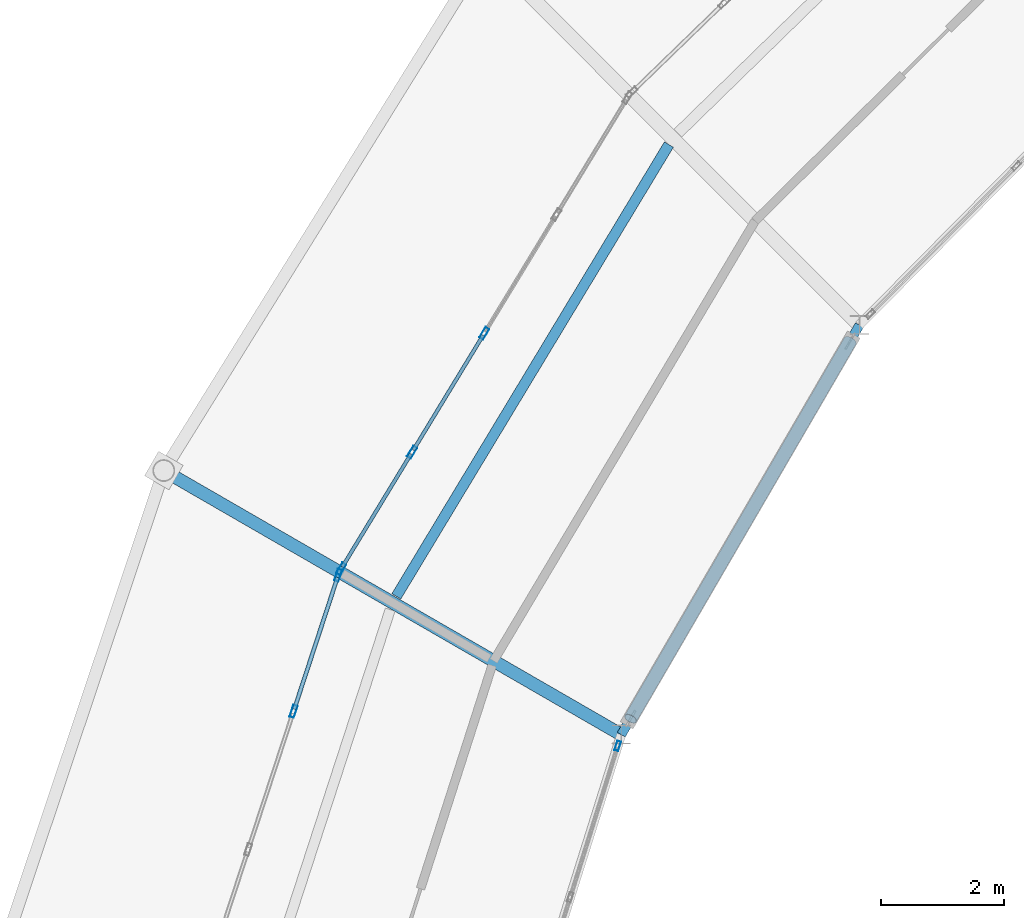
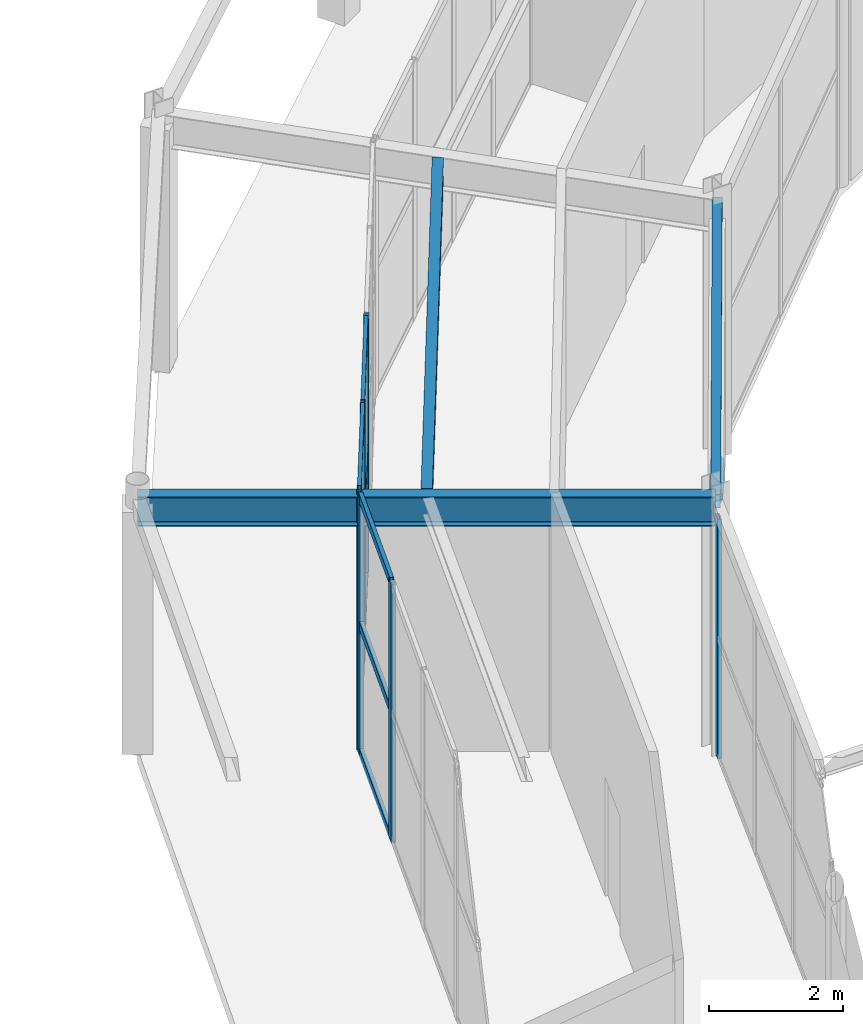
# One storey, part 76 of 144: 16 members, 3 beams, 3 elements without a shape of their own.
"""IFC4 building model written with IfcOpenShell, lengths in metres."""

from ifc_helpers import new_model, si_unit, direction, frame, origin, origin_2d, place, context, subcontext, project, spatial, hollow_rectangle, hollow_circle, i_section, extrude, material, material_profile, profile_set, type_object, element, aggregate, save


model = new_model("IFC4")

# Units and contexts
model_context = context("Model", 3, precision=1e-05, world=origin(), true_north=direction((0.0, 1.0)))
body_context = subcontext(model_context, "Body", "Model", "MODEL_VIEW")
ifc_project = project(units=[si_unit("LENGTHUNIT", "METRE"), si_unit("AREAUNIT", "SQUARE_METRE"), si_unit("VOLUMEUNIT", "CUBIC_METRE"), si_unit("PLANEANGLEUNIT", "RADIAN"), si_unit("MASSUNIT", "GRAM", prefix="KILO")], contexts=[model_context])

# Site, building, storey
site_placement = place(None, origin())
site = spatial("IfcSite", under=ifc_project, at=site_placement, CompositionType="ELEMENT")
building_placement = place(site_placement, origin())
building = spatial("IfcBuilding", under=site, at=building_placement, Name="Karori Crest Natural Sciences Institute", CompositionType="ELEMENT")
storey_placement = place(building_placement, origin())
storey = spatial("IfcBuildingStorey", under=building, at=storey_placement, Name="L00", CompositionType="ELEMENT", Elevation=0.0)

# Beams
ifc_material_1 = material(Name="Structural steel AS/NZS 3679.1 Grade 350", Category="steel")
ifc_material_profile_1 = material_profile(ifc_material_1, i_section(OverallWidth=0.208984375, OverallDepth=0.532958984375, WebThickness=0.01025390625, FlangeThickness=0.015625, FilletRadius=0.013916015625, at=origin_2d()), Name="530UB92.4")
ifc_profile_set_1 = profile_set([ifc_material_profile_1], Name="Structural steel AS/NZS 3679.1 Grade 350")
beam_type_1 = type_object("IfcBeamType", Name="BT-05", PredefinedType="BEAM", material=ifc_profile_set_1)
beam_1_placement = place(storey_placement, frame((45.26904296875, 66.0, 4.37353515625), z_axis=(-0.866021068297, 0.500007509209, 0.0), x_axis=(-0.500007509209, -0.866021068297, 0.0)))
element("IfcBeam", 1, at=beam_1_placement, inside=storey, type_object=beam_type_1, Name="Beam B-0131", PredefinedType="BEAM", context=body_context, shape_type="SweptSolid", body=[
    extrude(i_section(OverallWidth=0.208984375, OverallDepth=0.532958984375, WebThickness=0.01025390625, FlangeThickness=0.015625, FilletRadius=0.013916015625, at=origin_2d()), origin(), (0.0, 0.0, 1.0), 8.599853515625),
])
ifc_material_2 = material(Name="Hollow structural steel AS/NZS 1163 Grade C350", Category="steel")
ifc_material_profile_2 = material_profile(ifc_material_2, hollow_rectangle(XDim=0.14990234375, YDim=0.25, WallThickness=0.009033203125, at=origin_2d()), Name="RHS250x150x9")
ifc_profile_set_2 = profile_set([ifc_material_profile_2], Name="Hollow structural steel AS/NZS 1163 Grade C350")
beam_type_2 = type_object("IfcBeamType", Name="BT-16", PredefinedType="SPANDREL", material=ifc_profile_set_2)
beam_2_placement = place(storey_placement, frame((49.146484375, 72.668701171875, 4.489990234375), z_axis=(-0.502648511326, -0.864490875638, 0.0), x_axis=(0.864490875638, -0.502648511326, 0.0)))
element("IfcBeam", 2, at=beam_2_placement, inside=storey, type_object=beam_type_2, Name="Beam B-0126", PredefinedType="SPANDREL", context=body_context, shape_type="SweptSolid", body=[
    extrude(hollow_rectangle(XDim=0.14990234375, YDim=0.25, WallThickness=0.009033203125, at=origin_2d()), origin(), (0.0, 0.0, 1.0), 7.714111328125),
])
ifc_material_profile_3 = material_profile(ifc_material_1, i_section(OverallWidth=0.1708984375, OverallDepth=0.35595703125, WebThickness=0.00732421875, FlangeThickness=0.011474609375, FilletRadius=0.010986328125, at=origin_2d()), Name="360UB50.7")
ifc_profile_set_3 = profile_set([ifc_material_profile_3], Name="Structural steel AS/NZS 3679.1 Grade 350")
beam_type_3 = type_object("IfcBeamType", Name="BT-30", PredefinedType="BEAM", material=ifc_profile_set_3)
beam_3_placement = place(storey_placement, frame((46.044189453125, 75.606689453125, 4.4619140625), z_axis=(-0.516601017309, -0.856226248672, 0.0), x_axis=(0.856226248672, -0.516601017309, 0.0)))
element("IfcBeam", 3, at=beam_3_placement, inside=storey, type_object=beam_type_3, Name="Beam B-0128", PredefinedType="BEAM", context=body_context, shape_type="SweptSolid", body=[
    extrude(i_section(OverallWidth=0.1708984375, OverallDepth=0.35595703125, WebThickness=0.00732421875, FlangeThickness=0.011474609375, FilletRadius=0.010986328125, at=origin_2d()), origin(), (0.0, 0.0, 1.0), 8.5888671875),
])

# Curtain wall, member
ifc_material_3 = material(Name="Anodised architectural aluminium 6063-T6", Category="aluminium")
curtain_wall_type_1 = type_object("IfcCurtainWallType", Name="CWT-11", PredefinedType="NOTDEFINED", material=ifc_material_3)
curtain_wall_1_placement = place(storey_placement, origin())
curtain_wall_1 = element("IfcCurtainWall", 4, at=curtain_wall_1_placement, inside=storey, type_object=curtain_wall_type_1, Name="Curtain wall CW-0014", PredefinedType="NOTDEFINED")
ifc_material_profile_4 = material_profile(ifc_material_3, hollow_rectangle(XDim=0.06494140625, YDim=0.159912109375, WallThickness=0.00390625, at=origin_2d()), Name="CWM160x65x4")
ifc_profile_set_4 = profile_set([ifc_material_profile_4], Name="Anodised architectural aluminium 6063-T6")
member_type_1 = type_object("IfcMemberType", Name="CWM-01", PredefinedType="MULLION", material=ifc_profile_set_4)
member_1_placement = place(storey_placement, frame((45.211669921875, 65.81689453125, 0.0), z_axis=(0.0, 0.0, 1.0), x_axis=(0.954103649609, -0.2994765864, 0.0)))
member_1 = element("IfcMember", 5, at=member_1_placement, type_object=member_type_1, Name="CW-0014 mullion 1", PredefinedType="MULLION", context=body_context, shape_type="SweptSolid", body=[
    extrude(hollow_rectangle(XDim=0.06494140625, YDim=0.159912109375, WallThickness=0.00390625, at=origin_2d()), origin(), (0.0, 0.0, 1.0), 4.35009765625),
])
aggregate(curtain_wall_1, [member_1])

# Curtain wall, members
curtain_wall_type_2 = type_object("IfcCurtainWallType", Name="CWT-10", PredefinedType="NOTDEFINED", material=ifc_material_3)
curtain_wall_2_placement = place(storey_placement, origin())
curtain_wall_2 = element("IfcCurtainWall", 6, at=curtain_wall_2_placement, inside=storey, type_object=curtain_wall_type_2, Name="Curtain wall CW-0012", PredefinedType="NOTDEFINED")
ifc_material_profile_5 = material_profile(ifc_material_3, hollow_rectangle(XDim=0.074951171875, YDim=0.199951171875, WallThickness=0.0048828125, at=origin_2d()), Name="CWM200x75x5")
ifc_profile_set_5 = profile_set([ifc_material_profile_5], Name="Anodised architectural aluminium 6063-T6")
member_type_2 = type_object("IfcMemberType", Name="CWM-02", PredefinedType="MULLION", material=ifc_profile_set_5)
member_2_placement = place(storey_placement, frame((40.708984375, 68.69921875, 0.0), z_axis=(0.0, 0.0, 1.0), x_axis=(-0.854567337323, 0.519340606905, 0.0)))
member_2 = element("IfcMember", 7, at=member_2_placement, type_object=member_type_2, Name="CW-0012 mullion 1", PredefinedType="MULLION", context=body_context, shape_type="SweptSolid", body=[
    extrude(hollow_rectangle(XDim=0.074951171875, YDim=0.199951171875, WallThickness=0.0048828125, at=origin_2d()), origin(), (0.0, 0.0, 1.0), 4.679931640625),
])
member_3_placement = place(storey_placement, frame((41.8642578125, 70.60009765625, 0.0), z_axis=(0.0, 0.0, 1.0), x_axis=(-0.854567337323, 0.519340606905, 0.0)))
member_3 = element("IfcMember", 8, at=member_3_placement, type_object=member_type_2, Name="CW-0012 mullion 2", PredefinedType="MULLION", context=body_context, shape_type="SweptSolid", body=[
    extrude(hollow_rectangle(XDim=0.074951171875, YDim=0.199951171875, WallThickness=0.0048828125, at=origin_2d()), origin(), (0.0, 0.0, 1.0), 4.679931640625),
])
member_4_placement = place(storey_placement, frame((43.0390625, 72.533203125, 0.0), z_axis=(0.0, 0.0, 1.0), x_axis=(-0.854567337323, 0.519340606905, 0.0)))
member_4 = element("IfcMember", 9, at=member_4_placement, type_object=member_type_2, Name="CW-0012 mullion 3", PredefinedType="MULLION", context=body_context, shape_type="SweptSolid", body=[
    extrude(hollow_rectangle(XDim=0.074951171875, YDim=0.199951171875, WallThickness=0.0048828125, at=origin_2d()), origin(), (0.0, 0.0, 1.0), 4.679931640625),
])

curtain_wall_type_3 = type_object("IfcCurtainWallType", Name="CWT-01", PredefinedType="NOTDEFINED", material=ifc_material_3)
curtain_wall_3_placement = place(storey_placement, origin())
curtain_wall_3 = element("IfcCurtainWall", 10, at=curtain_wall_3_placement, inside=storey, type_object=curtain_wall_type_3, Name="Curtain wall CW-0013", PredefinedType="NOTDEFINED")
member_5_placement = place(storey_placement, frame((39.93408203125, 66.37939453125, 0.0), z_axis=(0.0, 0.0, 1.0), x_axis=(-0.950175969879, 0.311714013584, 0.0)))
member_5 = element("IfcMember", 11, at=member_5_placement, type_object=member_type_2, Name="CW-0013 mullion 4", PredefinedType="MULLION", context=body_context, shape_type="SweptSolid", body=[
    extrude(hollow_rectangle(XDim=0.074951171875, YDim=0.199951171875, WallThickness=0.0048828125, at=origin_2d()), origin(), (0.0, 0.0, 1.0), 4.679931640625),
])
member_6_placement = place(storey_placement, frame((40.6611328125, 68.595458984375, 0.0), z_axis=(0.0, 0.0, 1.0), x_axis=(-0.950175969879, 0.311714013584, 0.0)))
member_6 = element("IfcMember", 12, at=member_6_placement, type_object=member_type_2, Name="CW-0013 mullion 5", PredefinedType="MULLION", context=body_context, shape_type="SweptSolid", body=[
    extrude(hollow_rectangle(XDim=0.074951171875, YDim=0.199951171875, WallThickness=0.0048828125, at=origin_2d()), origin(), (0.0, 0.0, 1.0), 4.679931640625),
])

# Member
ifc_material_profile_6 = material_profile(ifc_material_3, hollow_rectangle(XDim=0.06005859375, YDim=0.1201171875, WallThickness=0.00390625, at=origin_2d()), Name="CWT120x60x4")
ifc_profile_set_6 = profile_set([ifc_material_profile_6], Name="Anodised architectural aluminium 6063-T6")
member_type_3 = type_object("IfcMemberType", Name="CWT-TR1", PredefinedType="USERDEFINED", material=ifc_profile_set_6)
member_7_placement = place(storey_placement, frame((40.728271484375, 68.731201171875, 0.030029296875), z_axis=(0.519381148142, 0.854542698146, 0.0), x_axis=(-0.854542698146, 0.519381148142, 0.0)))
member_7 = element("IfcMember", 13, at=member_7_placement, type_object=member_type_3, Name="CW-0012 transom 1.1", ObjectType="TRANSOM", PredefinedType="USERDEFINED", context=body_context, shape_type="SweptSolid", body=[
    extrude(hollow_rectangle(XDim=0.06005859375, YDim=0.1201171875, WallThickness=0.00390625, at=origin_2d()), origin(), (0.0, 0.0, 1.0), 2.149658203125),
])

member_8_placement = place(storey_placement, frame((40.728271484375, 68.731201171875, 2.340087890625), z_axis=(0.519381148142, 0.854542698146, 0.0), x_axis=(-0.854542698146, 0.519381148142, 0.0)))
member_8 = element("IfcMember", 14, at=member_8_placement, type_object=member_type_3, Name="CW-0012 transom 1.2", ObjectType="TRANSOM", PredefinedType="USERDEFINED", context=body_context, shape_type="SweptSolid", body=[
    extrude(hollow_rectangle(XDim=0.06005859375, YDim=0.1201171875, WallThickness=0.00390625, at=origin_2d()), origin(), (0.0, 0.0, 1.0), 2.149658203125),
])

member_9_placement = place(storey_placement, frame((40.728271484375, 68.731201171875, 4.64990234375), z_axis=(0.519381148142, 0.854542698146, 0.0), x_axis=(-0.854542698146, 0.519381148142, 0.0)))
member_9 = element("IfcMember", 15, at=member_9_placement, type_object=member_type_3, Name="CW-0012 transom 1.3", ObjectType="TRANSOM", PredefinedType="USERDEFINED", context=body_context, shape_type="SweptSolid", body=[
    extrude(hollow_rectangle(XDim=0.06005859375, YDim=0.1201171875, WallThickness=0.00390625, at=origin_2d()), origin(), (0.0, 0.0, 1.0), 2.149658203125),
])

member_10_placement = place(storey_placement, frame((41.883544921875, 70.63232421875, 0.030029296875), z_axis=(0.519412101176, 0.854523884483, 0.0), x_axis=(-0.854523884483, 0.519412101176, 0.0)))
member_10 = element("IfcMember", 16, at=member_10_placement, type_object=member_type_3, Name="CW-0012 transom 2.1", ObjectType="TRANSOM", PredefinedType="USERDEFINED", context=body_context, shape_type="SweptSolid", body=[
    extrude(hollow_rectangle(XDim=0.06005859375, YDim=0.1201171875, WallThickness=0.00390625, at=origin_2d()), origin(), (0.0, 0.0, 1.0), 2.18701171875),
])

member_11_placement = place(storey_placement, frame((41.883544921875, 70.63232421875, 2.340087890625), z_axis=(0.519412101176, 0.854523884483, 0.0), x_axis=(-0.854523884483, 0.519412101176, 0.0)))
member_11 = element("IfcMember", 17, at=member_11_placement, type_object=member_type_3, Name="CW-0012 transom 2.2", ObjectType="TRANSOM", PredefinedType="USERDEFINED", context=body_context, shape_type="SweptSolid", body=[
    extrude(hollow_rectangle(XDim=0.06005859375, YDim=0.1201171875, WallThickness=0.00390625, at=origin_2d()), origin(), (0.0, 0.0, 1.0), 2.18701171875),
])

member_12_placement = place(storey_placement, frame((41.883544921875, 70.63232421875, 4.64990234375), z_axis=(0.519412101176, 0.854523884483, 0.0), x_axis=(-0.854523884483, 0.519412101176, 0.0)))
member_12 = element("IfcMember", 18, at=member_12_placement, type_object=member_type_3, Name="CW-0012 transom 2.3", ObjectType="TRANSOM", PredefinedType="USERDEFINED", context=body_context, shape_type="SweptSolid", body=[
    extrude(hollow_rectangle(XDim=0.06005859375, YDim=0.1201171875, WallThickness=0.00390625, at=origin_2d()), origin(), (0.0, 0.0, 1.0), 2.18701171875),
])

aggregate(curtain_wall_2, [member_2, member_3, member_4, member_7, member_8, member_9, member_10, member_11, member_12])

ifc_material_profile_7 = material_profile(ifc_material_3, hollow_rectangle(XDim=0.06494140625, YDim=0.14990234375, WallThickness=0.00390625, at=origin_2d()), Name="CWT150x65x4")
ifc_profile_set_7 = profile_set([ifc_material_profile_7], Name="Anodised architectural aluminium 6063-T6")
member_type_4 = type_object("IfcMemberType", Name="CWT-TR2", PredefinedType="USERDEFINED", material=ifc_profile_set_7)
member_13_placement = place(storey_placement, frame((39.94580078125, 66.4150390625, 0.032470703125), z_axis=(0.311713965884, 0.950175985527, 0.0), x_axis=(-0.950175985527, 0.311713965884, 0.0)))
member_13 = element("IfcMember", 19, at=member_13_placement, type_object=member_type_4, Name="CW-0013 transom 4.1", ObjectType="TRANSOM", PredefinedType="USERDEFINED", context=body_context, shape_type="SweptSolid", body=[
    extrude(hollow_rectangle(XDim=0.06494140625, YDim=0.14990234375, WallThickness=0.00390625, at=origin_2d()), origin(), (0.0, 0.0, 1.0), 2.25732421875),
])

member_14_placement = place(storey_placement, frame((39.94580078125, 66.4150390625, 2.340087890625), z_axis=(0.311713965884, 0.950175985527, 0.0), x_axis=(-0.950175985527, 0.311713965884, 0.0)))
member_14 = element("IfcMember", 20, at=member_14_placement, type_object=member_type_4, Name="CW-0013 transom 4.2", ObjectType="TRANSOM", PredefinedType="USERDEFINED", context=body_context, shape_type="SweptSolid", body=[
    extrude(hollow_rectangle(XDim=0.06494140625, YDim=0.14990234375, WallThickness=0.00390625, at=origin_2d()), origin(), (0.0, 0.0, 1.0), 2.25732421875),
])

member_15_placement = place(storey_placement, frame((39.94580078125, 66.4150390625, 4.6474609375), z_axis=(0.311713965884, 0.950175985527, 0.0), x_axis=(-0.950175985527, 0.311713965884, 0.0)))
member_15 = element("IfcMember", 21, at=member_15_placement, type_object=member_type_4, Name="CW-0013 transom 4.3", ObjectType="TRANSOM", PredefinedType="USERDEFINED", context=body_context, shape_type="SweptSolid", body=[
    extrude(hollow_rectangle(XDim=0.06494140625, YDim=0.14990234375, WallThickness=0.00390625, at=origin_2d()), origin(), (0.0, 0.0, 1.0), 2.25732421875),
])

aggregate(curtain_wall_3, [member_5, member_6, member_13, member_14, member_15])

ifc_material_profile_8 = material_profile(ifc_material_2, hollow_circle(Radius=0.109619140625, WallThickness=0.00830078125, at=origin_2d()), Name="CHS219.1x8.2")
ifc_profile_set_8 = profile_set([ifc_material_profile_8], Name="Hollow structural steel AS/NZS 1163 Grade C350")
member_type_5 = type_object("IfcMemberType", Name="MT-02", PredefinedType="BRACE", material=ifc_profile_set_8)
member_16_placement = place(storey_placement, frame((48.995849609375, 72.409423828125, 0.010009765625), z_axis=(-0.429100578586, -0.737999090268, 0.520797500206), x_axis=(0.864491234315, -0.502647894447, 0.0)))
element("IfcMember", 22, at=member_16_placement, inside=storey, type_object=member_type_5, Name="Diagonal Brace M-0006", PredefinedType="BRACE", context=body_context, shape_type="SweptSolid", body=[
    extrude(hollow_circle(Radius=0.109619140625, WallThickness=0.00830078125, at=origin_2d()), origin(), (0.0, 0.0, 1.0), 8.33349609375),
])

save(model, "model.ifc")
